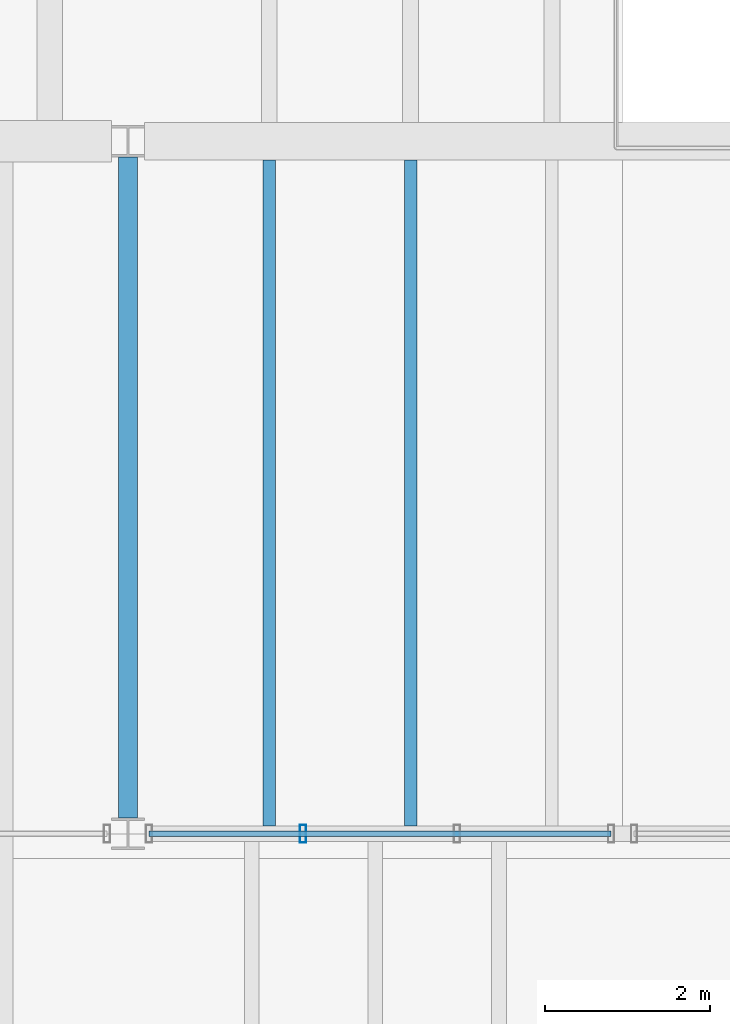
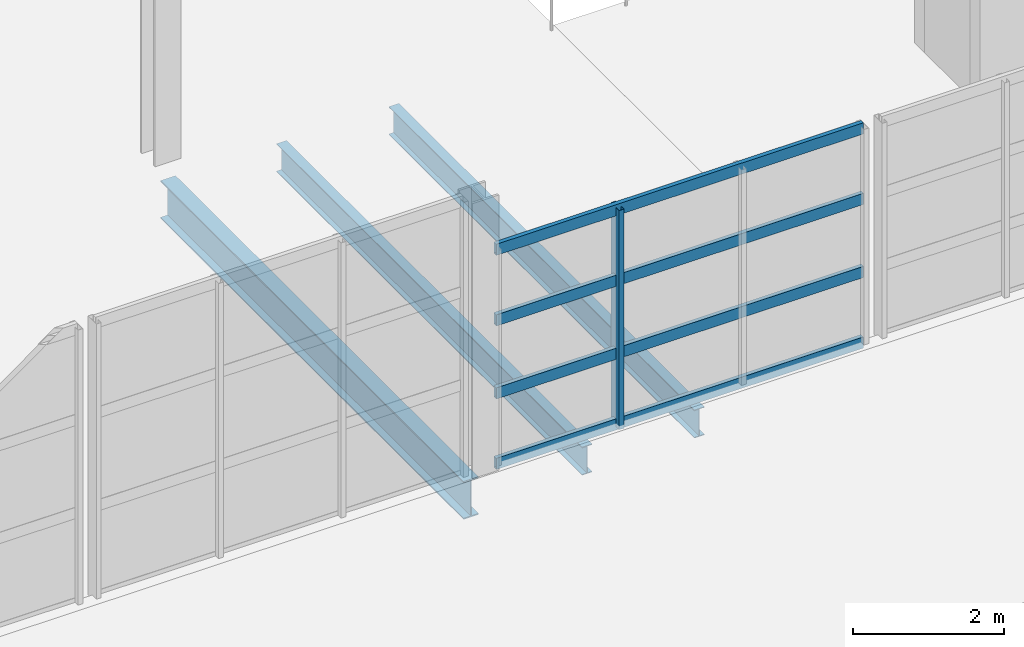
# One storey, part 13 of 114: 5 members, 3 beams, 1 element without a shape of its own.
"""IFC4 building model written with IfcOpenShell, lengths in metres."""

from ifc_helpers import new_model, si_unit, direction, frame, origin, origin_2d, place, context, subcontext, project, spatial, hollow_rectangle, i_section, extrude, material, material_profile, profile_set, type_object, element, aggregate, save


model = new_model("IFC4")

# Units and contexts
model_context = context("Model", 3, precision=1e-05, world=origin(), true_north=direction((0.0, 1.0)))
body_context = subcontext(model_context, "Body", "Model", "MODEL_VIEW")
ifc_project = project(units=[si_unit("LENGTHUNIT", "METRE"), si_unit("AREAUNIT", "SQUARE_METRE"), si_unit("VOLUMEUNIT", "CUBIC_METRE"), si_unit("PLANEANGLEUNIT", "RADIAN"), si_unit("MASSUNIT", "GRAM", prefix="KILO")], contexts=[model_context])

# Site, building, storey
site_placement = place(None, origin())
site = spatial("IfcSite", under=ifc_project, at=site_placement, CompositionType="ELEMENT")
building_placement = place(site_placement, origin())
building = spatial("IfcBuilding", under=site, at=building_placement, Name="Kelmvaro Bay Concert Hall", CompositionType="ELEMENT")
storey_placement = place(building_placement, frame((0.0, 0.0, 4.800048828125)))
storey = spatial("IfcBuildingStorey", under=building, at=storey_placement, Name="L01", CompositionType="ELEMENT", Elevation=4.800048828125)

# Curtain wall, members
ifc_material_1 = material(Name="Anodised Aluminium and Low-E Insulated Glazing", Category="aluminium")
curtain_wall_type = type_object("IfcCurtainWallType", Name="Mezzanine Concourse Curtain Wall 4100", PredefinedType="USERDEFINED", material=ifc_material_1)
curtain_wall_placement = place(storey_placement, origin())
curtain_wall = element("IfcCurtainWall", 1, at=curtain_wall_placement, inside=storey, type_object=curtain_wall_type, Name="Unitised Curtain Wall CW-L01-057", ObjectType="UNITISED GLAZING", PredefinedType="USERDEFINED")
ifc_material_2 = material(Name="Anodised Extruded Aluminium 6063-T6", Category="aluminium")
ifc_material_profile_1 = material_profile(ifc_material_2, hollow_rectangle(XDim=0.074951171875, YDim=0.219970703125, WallThickness=0.00439453125, at=origin_2d()), Name="ALU-MUL-220X75")
ifc_profile_set_1 = profile_set([ifc_material_profile_1], Name="Anodised Extruded Aluminium 6063-T6")
member_type_1 = type_object("IfcMemberType", Name="Curtain Mullion Heavy ALU 220x75", PredefinedType="MULLION", material=ifc_profile_set_1)
member_1_placement = place(storey_placement, frame((62.123046875, 7.199951171875, 0.0), z_axis=(0.0, 0.0, 1.0), x_axis=(1.0, 0.0, 0.0)))
member_1 = element("IfcMember", 2, at=member_1_placement, type_object=member_type_1, Name="CW-L01-057 Mullion 03", PredefinedType="MULLION", context=body_context, shape_type="SweptSolid", body=[
    extrude(hollow_rectangle(XDim=0.074951171875, YDim=0.219970703125, WallThickness=0.00439453125, at=origin_2d()), origin(), (0.0, 0.0, 1.0), 3.536865234375),
])
ifc_material_3 = material(Name="Anodised Extruded Aluminium 6063-T6", Category="aluminium")
ifc_material_profile_2 = material_profile(ifc_material_3, hollow_rectangle(XDim=0.06494140625, YDim=0.179931640625, WallThickness=0.00439453125, at=origin_2d()), Name="ALU-TRN-180X65")
ifc_profile_set_2 = profile_set([ifc_material_profile_2], Name="Anodised Extruded Aluminium 6063-T6")
member_type_2 = type_object("IfcMemberType", Name="Curtain Transom Heavy ALU 180x65", PredefinedType="USERDEFINED", material=ifc_profile_set_2)
member_2_placement = place(storey_placement, frame((65.860107421875, 7.199951171875, 0.0400390625), z_axis=(-1.0, 0.0, 0.0), x_axis=(0.0, -1.0, 0.0)))
member_2 = element("IfcMember", 3, at=member_2_placement, type_object=member_type_2, Name="CW-L01-057 Transom 01", ObjectType="TRANSOM", PredefinedType="USERDEFINED", context=body_context, shape_type="SweptSolid", body=[
    extrude(hollow_rectangle(XDim=0.06494140625, YDim=0.179931640625, WallThickness=0.00439453125, at=origin_2d()), origin(), (0.0, 0.0, 1.0), 5.605712890625),
])
member_3_placement = place(storey_placement, frame((65.860107421875, 7.199951171875, 1.178955078125), z_axis=(-1.0, 0.0, 0.0), x_axis=(0.0, -1.0, 0.0)))
member_3 = element("IfcMember", 4, at=member_3_placement, type_object=member_type_2, Name="CW-L01-057 Transom 02", ObjectType="TRANSOM", PredefinedType="USERDEFINED", context=body_context, shape_type="SweptSolid", body=[
    extrude(hollow_rectangle(XDim=0.06494140625, YDim=0.179931640625, WallThickness=0.00439453125, at=origin_2d()), origin(), (0.0, 0.0, 1.0), 5.605712890625),
])
member_4_placement = place(storey_placement, frame((65.860107421875, 7.199951171875, 2.35791015625), z_axis=(-1.0, 0.0, 0.0), x_axis=(0.0, -1.0, 0.0)))
member_4 = element("IfcMember", 5, at=member_4_placement, type_object=member_type_2, Name="CW-L01-057 Transom 03", ObjectType="TRANSOM", PredefinedType="USERDEFINED", context=body_context, shape_type="SweptSolid", body=[
    extrude(hollow_rectangle(XDim=0.06494140625, YDim=0.179931640625, WallThickness=0.00439453125, at=origin_2d()), origin(), (0.0, 0.0, 1.0), 5.605712890625),
])
member_5_placement = place(storey_placement, frame((65.860107421875, 7.199951171875, 3.4970703125), z_axis=(-1.0, 0.0, 0.0), x_axis=(0.0, -1.0, 0.0)))
member_5 = element("IfcMember", 6, at=member_5_placement, type_object=member_type_2, Name="CW-L01-057 Transom 04", ObjectType="TRANSOM", PredefinedType="USERDEFINED", context=body_context, shape_type="SweptSolid", body=[
    extrude(hollow_rectangle(XDim=0.06494140625, YDim=0.179931640625, WallThickness=0.00439453125, at=origin_2d()), origin(), (0.0, 0.0, 1.0), 5.605712890625),
])
aggregate(curtain_wall, [member_1, member_2, member_3, member_4, member_5])

# Beams
ifc_material_4 = material(Name="Steel ASTM A992 Grade 50", Category="steel")
ifc_material_profile_3 = material_profile(ifc_material_4, i_section(OverallWidth=0.152099609375, OverallDepth=0.455078125, WebThickness=0.008056640625, FlangeThickness=0.01318359375, at=origin_2d()), Name="W18X40")
ifc_profile_set_3 = profile_set([ifc_material_profile_3], Name="Steel ASTM A992 Grade 50")
beam_type_1 = type_object("IfcBeamType", Name="Foyer Concourse Floor Joist W18x40", PredefinedType="JOIST", material=ifc_profile_set_3)
for number, where, z_axis, x_axis, name in (
    (7, (61.71435546875, 7.2958984375, -0.4775390625), (0.0, 1.0, 0.0), (-1.0, 0.0, 0.0), "L01 Floor Joist JST-L01-0264"),
    (8, (63.4287109375, 7.2958984375, -0.4775390625), (0.0, 1.0, 0.0), (-1.0, 0.0, 0.0), "L01 Floor Joist JST-L01-0265"),
):
    element("IfcBeam", number, at=place(storey_placement, frame(where, z_axis=z_axis, x_axis=x_axis)), inside=storey, type_object=beam_type_1, Name=name, PredefinedType="JOIST", context=body_context, shape_type="SweptSolid", body=[
        extrude(i_section(OverallWidth=0.152099609375, OverallDepth=0.455078125, WebThickness=0.008056640625, FlangeThickness=0.01318359375, at=origin_2d()), origin(), (0.0, 0.0, 1.0), 8.0791015625),
    ])
ifc_material_5 = material(Name="Steel ASTM A992 Grade 50", Category="steel")
ifc_material_profile_4 = material_profile(ifc_material_5, i_section(OverallWidth=0.22900390625, OverallDepth=0.612060546875, WebThickness=0.011962890625, FlangeThickness=0.01953125, at=origin_2d()), Name="W24X84")
ifc_profile_set_4 = profile_set([ifc_material_profile_4], Name="Steel ASTM A992 Grade 50")
beam_type_2 = type_object("IfcBeamType", Name="Terrace Edge Girder W24x84", PredefinedType="BEAM", material=ifc_profile_set_4)
beam_placement = place(storey_placement, frame((60.0, 7.39306640625, -0.55615234375), z_axis=(0.0, 1.0, 0.0), x_axis=(-1.0, 0.0, 0.0)))
element("IfcBeam", 9, at=beam_placement, inside=storey, type_object=beam_type_2, Name="L01 Girder BM-L01-NS-0159", PredefinedType="BEAM", context=body_context, shape_type="SweptSolid", body=[
    extrude(i_section(OverallWidth=0.22900390625, OverallDepth=0.612060546875, WebThickness=0.011962890625, FlangeThickness=0.01953125, at=origin_2d()), origin(), (0.0, 0.0, 1.0), 8.013916015625),
])

save(model, "model.ifc")
